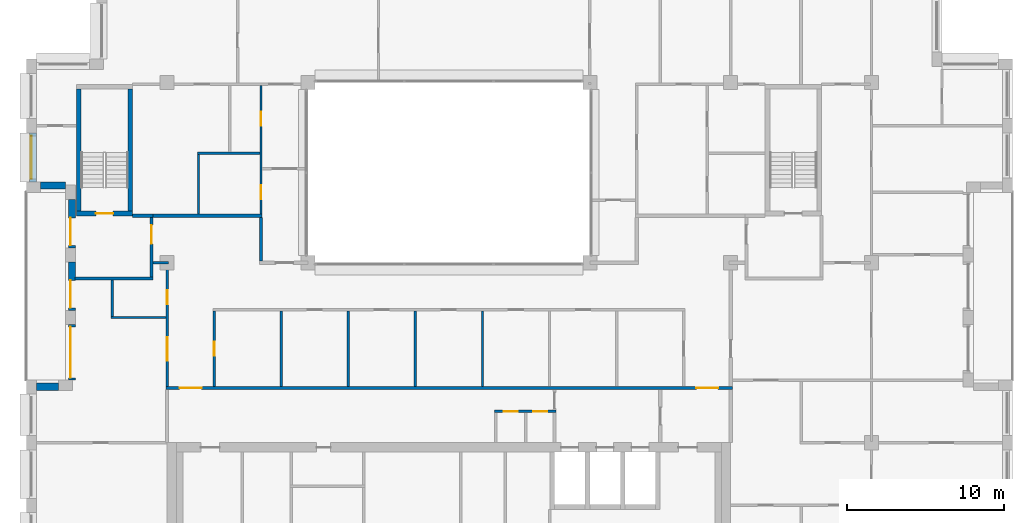
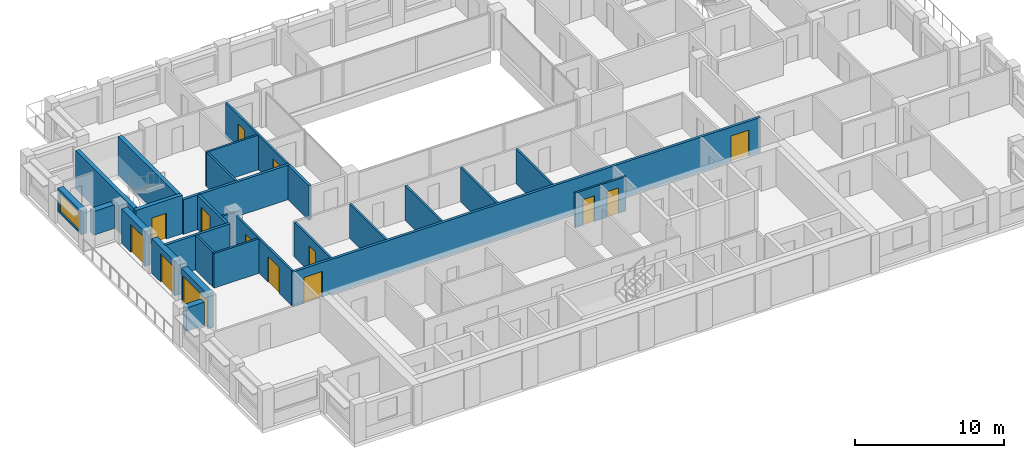
# One storey, part 9 of 15: 28 walls, 14 doors, 1 window, 15 openings.
"""IFC4 building model written with IfcOpenShell, lengths in metres."""

from ifc_helpers import new_model, si_unit, direction, frame, frame_2d, origin, place, context, subcontext, project, spatial, rectangle, extrude, material, layer, layer_set, type_object, element, fill, save


model = new_model("IFC4")

# Units and contexts
model_context = context("Model", 3, precision=1e-05, world=origin(), true_north=direction((0.0, 1.0)))
body_context = subcontext(model_context, "Body", "Model", "MODEL_VIEW")
ifc_project = project(units=[si_unit("LENGTHUNIT", "METRE"), si_unit("AREAUNIT", "SQUARE_METRE"), si_unit("VOLUMEUNIT", "CUBIC_METRE"), si_unit("PLANEANGLEUNIT", "RADIAN"), si_unit("MASSUNIT", "GRAM", prefix="KILO")], contexts=[model_context])

# Site, building, storey
site_placement = place(None, origin())
site = spatial("IfcSite", under=ifc_project, at=site_placement, CompositionType="ELEMENT")
building_placement = place(site_placement, origin())
building = spatial("IfcBuilding", under=site, at=building_placement, Name="Brigalow Station Residences", CompositionType="ELEMENT")
storey_placement = place(building_placement, frame((0.0, 0.0, 216.89990234375)))
storey = spatial("IfcBuildingStorey", under=building, at=storey_placement, Name="L62", CompositionType="ELEMENT", Elevation=216.89990234375)

# Wall, opening, window
ifc_material_1 = material(Name="Clay brick masonry", Category="masonry")
ifc_layer_1 = layer(ifc_material_1, 0.449951171875)
ifc_layer_set_1 = layer_set([ifc_layer_1], Name="BRICK INFILL WALL 450")
wall_type_1 = type_object("IfcWallType", Name="BRICK INFILL WALL 450", PredefinedType="SOLIDWALL", material=ifc_layer_set_1)
wall_1_placement = place(storey_placement, frame((9.425048828125, 32.300048828125, 0.900146484375), z_axis=(0.0, 0.0, 1.0), x_axis=(0.0, -1.0, 0.0)))
wall_1 = element("IfcWall", 1, at=wall_1_placement, inside=storey, type_object=wall_type_1, Name="L62/ewall/W-L62-35", PredefinedType="SOLIDWALL", context=body_context, shape_type="SweptSolid", body=[
    extrude(rectangle(XDim=3.150146484375, YDim=0.449951171875, at=frame_2d((1.5751953125, 0.0))), origin(), (0.0, 0.0, 1.0), 1.929931640625),
])
opening_1_placement = place(wall_1_placement, frame((0.199951171875, 0.0, 0.14990234375)))
opening_1 = element("IfcOpeningElement", 2, at=opening_1_placement, cuts=wall_1, Name="Opening WT-3", PredefinedType="OPENING", context=body_context, shape_type="SweptSolid", body=[
    extrude(rectangle(XDim=2.75, YDim=1.5, at=frame_2d((1.375, 0.75))), frame((0.0, 0.23486328125, 0.0), z_axis=(0.0, -1.0, 0.0), x_axis=(1.0, 0.0, 0.0)), (0.0, 0.0, 1.0), 0.469970703125),
])
ifc_material_2 = material(Name="Anodised aluminium frame with double glazing", Category="aluminium")
window_type = type_object("IfcWindowType", Name="WINDOW 2750x1500", PartitioningType="SINGLE_PANEL", PredefinedType="WINDOW", material=ifc_material_2)
window_placement = place(opening_1_placement, origin())
window = element("IfcWindow", 3, at=window_placement, inside=storey, type_object=window_type, Name="L62/window/W-L62-35", OverallHeight=1.5, OverallWidth=2.75, PartitioningType="SINGLE_PANEL", PredefinedType="WINDOW", context=body_context, shape_type="SweptSolid", body=[
    extrude(rectangle(XDim=2.75, YDim=1.5, at=frame_2d((1.375, 0.75))), frame((0.0, -0.06494140625, 0.0), z_axis=(0.0, -1.0, 0.0), x_axis=(1.0, 0.0, 0.0)), (0.0, 0.0, 1.0), 0.06005859375),
])
fill(opening_1, window)

# Wall
wall_2_placement = place(storey_placement, frame((9.89990234375, 28.925048828125, 0.900146484375), z_axis=(0.0, 0.0, 1.0), x_axis=(1.0, 0.0, 0.0)))
element("IfcWall", 4, at=wall_2_placement, inside=storey, type_object=wall_type_1, Name="L62/ewall/W-L62-36", PredefinedType="SOLIDWALL", context=body_context, shape_type="SweptSolid", body=[
    extrude(rectangle(XDim=1.60009765625, YDim=0.449951171875, at=frame_2d((0.800048828125, 0.0))), origin(), (0.0, 0.0, 1.0), 1.929931640625),
])

# Wall, opening, door
wall_3_placement = place(storey_placement, frame((11.925048828125, 28.050048828125, 0.0), z_axis=(0.0, 0.0, 1.0), x_axis=(0.0, -1.0, 0.0)))
wall_3 = element("IfcWall", 5, at=wall_3_placement, inside=storey, type_object=wall_type_1, Name="L62/ewall/W-L62-37", PredefinedType="SOLIDWALL", context=body_context, shape_type="SweptSolid", body=[
    extrude(rectangle(XDim=3.10009765625, YDim=0.449951171875, at=frame_2d((1.550048828125, 0.0))), origin(), (0.0, 0.0, 1.0), 2.830078125),
])
opening_2_placement = place(wall_3_placement, frame((1.18505859375, 0.0, 0.0)))
opening_2 = element("IfcOpeningElement", 6, at=opening_2_placement, cuts=wall_3, Name="Opening D-B1750", PredefinedType="OPENING", context=body_context, shape_type="SweptSolid", body=[
    extrude(rectangle(XDim=1.75, YDim=2.300048828125, at=frame_2d((0.875, 1.14990234375))), frame((0.0, 0.23486328125, 0.0), z_axis=(0.0, -1.0, 0.0), x_axis=(1.0, 0.0, 0.0)), (0.0, 0.0, 1.0), 0.469970703125),
])
ifc_material_3 = material(Name="Anodised aluminium frame with double glazing", Category="aluminium")
door_type_1 = type_object("IfcDoorType", Name="BALCONY SLIDING DOOR 1750x2300", OperationType="SLIDING_TO_LEFT", PredefinedType="DOOR", material=ifc_material_3)
door_1_placement = place(opening_2_placement, frame((1.75, -0.18994140625, 0.0), z_axis=(0.0, 0.0, 1.0), x_axis=(-1.0, 0.0, 0.0)))
door_1 = element("IfcDoor", 7, at=door_1_placement, inside=storey, type_object=door_type_1, Name="L62/balcony-door/W-L62-37", OperationType="SLIDING_TO_LEFT", OverallHeight=2.300048828125, OverallWidth=1.75, PredefinedType="DOOR", context=body_context, shape_type="SweptSolid", body=[
    extrude(rectangle(XDim=1.75, YDim=2.300048828125, at=frame_2d((0.875, 1.14990234375))), frame((0.0, -0.06982421875, 0.0), z_axis=(0.0, -1.0, 0.0), x_axis=(1.0, 0.0, 0.0)), (0.0, 0.0, 1.0), 0.050048828125),
])
fill(opening_2, door_1)

wall_4_placement = place(storey_placement, frame((11.925048828125, 24.050048828125, 0.0), z_axis=(0.0, 0.0, 1.0), x_axis=(0.0, -1.0, 0.0)))
wall_4 = element("IfcWall", 8, at=wall_4_placement, inside=storey, type_object=wall_type_1, Name="L62/ewall/W-L62-38", PredefinedType="SOLIDWALL", context=body_context, shape_type="SweptSolid", body=[
    extrude(rectangle(XDim=3.10009765625, YDim=0.449951171875, at=frame_2d((1.550048828125, 0.0))), origin(), (0.0, 0.0, 1.0), 2.830078125),
])
opening_3_placement = place(wall_4_placement, frame((1.18505859375, 0.0, 0.0)))
opening_3 = element("IfcOpeningElement", 9, at=opening_3_placement, cuts=wall_4, Name="Opening D-B1750", PredefinedType="OPENING", context=body_context, shape_type="SweptSolid", body=[
    extrude(rectangle(XDim=1.75, YDim=2.300048828125, at=frame_2d((0.875, 1.14990234375))), frame((0.0, 0.23486328125, 0.0), z_axis=(0.0, -1.0, 0.0), x_axis=(1.0, 0.0, 0.0)), (0.0, 0.0, 1.0), 0.469970703125),
])
door_2_placement = place(opening_3_placement, origin())
door_2 = element("IfcDoor", 10, at=door_2_placement, inside=storey, type_object=door_type_1, Name="L62/balcony-door/W-L62-38", OperationType="SLIDING_TO_LEFT", OverallHeight=2.300048828125, OverallWidth=1.75, PredefinedType="DOOR", context=body_context, shape_type="SweptSolid", body=[
    extrude(rectangle(XDim=1.75, YDim=2.300048828125, at=frame_2d((0.875, 1.14990234375))), frame((0.0, -0.06982421875, 0.0), z_axis=(0.0, -1.0, 0.0), x_axis=(1.0, 0.0, 0.0)), (0.0, 0.0, 1.0), 0.050048828125),
])
fill(opening_3, door_2)

wall_5_placement = place(storey_placement, frame((11.925048828125, 20.050048828125, 0.0), z_axis=(0.0, 0.0, 1.0), x_axis=(0.0, -1.0, 0.0)))
wall_5 = element("IfcWall", 11, at=wall_5_placement, inside=storey, type_object=wall_type_1, Name="L62/ewall/W-L62-39", PredefinedType="SOLIDWALL", context=body_context, shape_type="SweptSolid", body=[
    extrude(rectangle(XDim=3.550048828125, YDim=0.449951171875, at=frame_2d((1.77490234375, 0.0))), origin(), (0.0, 0.0, 1.0), 2.830078125),
])
opening_4_placement = place(wall_5_placement, frame((0.14990234375, 0.0, 0.0)))
opening_4 = element("IfcOpeningElement", 12, at=opening_4_placement, cuts=wall_5, Name="Opening D-B3250", PredefinedType="OPENING", context=body_context, shape_type="SweptSolid", body=[
    extrude(rectangle(XDim=3.25, YDim=2.300048828125, at=frame_2d((1.625, 1.14990234375))), frame((0.0, 0.23486328125, 0.0), z_axis=(0.0, -1.0, 0.0), x_axis=(1.0, 0.0, 0.0)), (0.0, 0.0, 1.0), 0.469970703125),
])
ifc_material_4 = material(Name="Anodised aluminium frame with double glazing", Category="aluminium")
door_type_2 = type_object("IfcDoorType", Name="BALCONY SLIDING DOOR 3250x2300", OperationType="SLIDING_TO_LEFT", PredefinedType="DOOR", material=ifc_material_4)
door_3_placement = place(opening_4_placement, origin())
door_3 = element("IfcDoor", 13, at=door_3_placement, inside=storey, type_object=door_type_2, Name="L62/balcony-door/W-L62-39", OperationType="SLIDING_TO_LEFT", OverallHeight=2.300048828125, OverallWidth=3.25, PredefinedType="DOOR", context=body_context, shape_type="SweptSolid", body=[
    extrude(rectangle(XDim=3.25, YDim=2.300048828125, at=frame_2d((1.625, 1.14990234375))), frame((0.0, -0.06982421875, 0.0), z_axis=(0.0, -1.0, 0.0), x_axis=(1.0, 0.0, 0.0)), (0.0, 0.0, 1.0), 0.050048828125),
])
fill(opening_4, door_3)

# Wall
wall_6_placement = place(storey_placement, frame((11.050048828125, 16.074951171875, 0.900146484375), z_axis=(0.0, 0.0, 1.0), x_axis=(-1.0, 0.0, 0.0)))
element("IfcWall", 14, at=wall_6_placement, inside=storey, type_object=wall_type_1, Name="L62/ewall/W-L62-40", PredefinedType="SOLIDWALL", context=body_context, shape_type="SweptSolid", body=[
    extrude(rectangle(XDim=1.400146484375, YDim=0.449951171875, at=frame_2d((0.7001953125, 0.0))), origin(), (0.0, 0.0, 1.0), 1.929931640625),
])

# Wall, opening, door
ifc_material_5 = material(Name="Concrete C50", Category="concrete")
ifc_layer_2 = layer(ifc_material_5, 0.300048828125)
ifc_layer_set_2 = layer_set([ifc_layer_2], Name="CORE SHEAR WALL 300 C50")
wall_type_2 = type_object("IfcWallType", Name="CORE SHEAR WALL 300 C50", PredefinedType="SHEAR", material=ifc_layer_set_2)
wall_7_placement = place(storey_placement, frame((12.199951171875, 27.14990234375, 0.0), z_axis=(0.0, 0.0, 1.0), x_axis=(1.0, 0.0, 0.0)))
wall_7 = element("IfcWall", 15, at=wall_7_placement, inside=storey, type_object=wall_type_2, Name="CORE WALL ST-S1-S L62", PredefinedType="SHEAR", context=body_context, shape_type="SweptSolid", body=[
    extrude(rectangle(XDim=3.60009765625, YDim=0.300048828125, at=frame_2d((1.800048828125, 0.0))), origin(), (0.0, 0.0, 1.0), 3.150146484375),
])
opening_5_placement = place(wall_7_placement, frame((1.25, 0.0, 0.0)))
opening_5 = element("IfcOpeningElement", 16, at=opening_5_placement, cuts=wall_7, Name="Opening D-5015", PredefinedType="OPENING", context=body_context, shape_type="SweptSolid", body=[
    extrude(rectangle(XDim=1.10009765625, YDim=2.10009765625, at=frame_2d((0.550048828125, 1.050048828125))), frame((0.0, 0.16015625, 0.0), z_axis=(0.0, -1.0, 0.0), x_axis=(1.0, 0.0, 0.0)), (0.0, 0.0, 1.0), 0.320068359375),
])
ifc_material_6 = material(Name="Steel fire door leaf in steel frame", Category="steel")
door_type_3 = type_object("IfcDoorType", Name="STAIR DOOR 1100 x 2100 FD60S", OperationType="SINGLE_SWING_LEFT", PredefinedType="DOOR", material=ifc_material_6)
door_4_placement = place(opening_5_placement, origin())
door_4 = element("IfcDoor", 17, at=door_4_placement, inside=storey, type_object=door_type_3, Name="D-5015", OperationType="SINGLE_SWING_LEFT", OverallHeight=2.10009765625, OverallWidth=1.10009765625, PredefinedType="DOOR", context=body_context, shape_type="SweptSolid", body=[
    extrude(rectangle(XDim=1.10009765625, YDim=2.10009765625, at=frame_2d((0.550048828125, 1.050048828125))), frame((0.0, 0.02490234375, 0.0), z_axis=(0.0, -1.0, 0.0), x_axis=(1.0, 0.0, 0.0)), (0.0, 0.0, 1.0), 0.050048828125),
])
fill(opening_5, door_4)

# Walls
for number, where, z_axis, x_axis, name in (
    (18, (12.35009765625, 27.300048828125, 0.0), (0.0, 0.0, 1.0), (0.0, 1.0, 0.0), "CORE WALL ST-S1-W L62"),
    (19, (15.64990234375, 27.300048828125, 0.0), (0.0, 0.0, 1.0), (0.0, 1.0, 0.0), "CORE WALL ST-S1-E L62"),
):
    element("IfcWall", number, at=place(storey_placement, frame(where, z_axis=z_axis, x_axis=x_axis)), inside=storey, type_object=wall_type_2, Name=name, PredefinedType="SHEAR", context=body_context, shape_type="SweptSolid", body=[
        extrude(rectangle(XDim=7.800048828125, YDim=0.300048828125, at=frame_2d((3.89990234375, 0.0))), origin(), (0.0, 0.0, 1.0), 3.150146484375),
    ])
ifc_material_7 = material(Name="Concrete blockwork", Category="masonry")
ifc_layer_3 = layer(ifc_material_7, 0.199951171875)
ifc_layer_set_3 = layer_set([ifc_layer_3], Name="FIRE RATED CORE PARTITION 200")
wall_type_3 = type_object("IfcWallType", Name="FIRE RATED CORE PARTITION 200", PredefinedType="PARTITIONING", material=ifc_layer_set_3)
wall_8_placement = place(storey_placement, frame((12.10009765625, 23.0, 0.0), z_axis=(0.0, 0.0, 1.0), x_axis=(1.0, 0.0, 0.0)))
element("IfcWall", 20, at=wall_8_placement, inside=storey, type_object=wall_type_3, Name="PW-5023", PredefinedType="PARTITIONING", context=body_context, shape_type="SweptSolid", body=[
    extrude(rectangle(XDim=5.0, YDim=0.199951171875, at=frame_2d((2.5, 0.0))), origin(), (0.0, 0.0, 1.0), 2.830078125),
])
wall_9_placement = place(storey_placement, frame((15.800048828125, 27.0, 0.0), z_axis=(0.0, 0.0, 1.0), x_axis=(1.0, 0.0, 0.0)))
element("IfcWall", 21, at=wall_9_placement, inside=storey, type_object=wall_type_3, Name="PW-5025", PredefinedType="PARTITIONING", context=body_context, shape_type="SweptSolid", body=[
    extrude(rectangle(XDim=1.300048828125, YDim=0.199951171875, at=frame_2d((0.64990234375, 0.0))), origin(), (0.0, 0.0, 1.0), 2.830078125),
])

# Wall, opening, door
wall_10_placement = place(storey_placement, frame((17.0, 23.10009765625, 0.0), z_axis=(0.0, 0.0, 1.0), x_axis=(0.0, 1.0, 0.0)))
wall_10 = element("IfcWall", 22, at=wall_10_placement, inside=storey, type_object=wall_type_3, Name="PW-5035", PredefinedType="PARTITIONING", context=body_context, shape_type="SweptSolid", body=[
    extrude(rectangle(XDim=3.7998046875, YDim=0.199951171875, at=frame_2d((1.89990234375, 0.0))), origin(), (0.0, 0.0, 1.0), 2.830078125),
])
opening_6_placement = place(wall_10_placement, frame((2.10009765625, 0.0, 0.0)))
opening_6 = element("IfcOpeningElement", 23, at=opening_6_placement, cuts=wall_10, Name="Opening D-5016", PredefinedType="OPENING", context=body_context, shape_type="SweptSolid", body=[
    extrude(rectangle(XDim=1.199951171875, YDim=2.10009765625, at=frame_2d((0.60009765625, 1.050048828125))), frame((0.0, 0.10986328125, 0.0), z_axis=(0.0, -1.0, 0.0), x_axis=(1.0, 0.0, 0.0)), (0.0, 0.0, 1.0), 0.219970703125),
])
ifc_material_8 = material(Name="Steel fire door leaf in steel frame", Category="steel")
door_type_4 = type_object("IfcDoorType", Name="STAIR LOBBY DOOR 1200 x 2100 FD60S", OperationType="SINGLE_SWING_LEFT", PredefinedType="DOOR", material=ifc_material_8)
door_5_placement = place(opening_6_placement, origin())
door_5 = element("IfcDoor", 24, at=door_5_placement, inside=storey, type_object=door_type_4, Name="D-5016", OperationType="SINGLE_SWING_RIGHT", OverallHeight=2.10009765625, OverallWidth=1.199951171875, PredefinedType="DOOR", context=body_context, shape_type="SweptSolid", body=[
    extrude(rectangle(XDim=1.199951171875, YDim=2.10009765625, at=frame_2d((0.60009765625, 1.050048828125))), frame((0.0, 0.02490234375, 0.0), z_axis=(0.0, -1.0, 0.0), x_axis=(1.0, 0.0, 0.0)), (0.0, 0.0, 1.0), 0.050048828125),
])
fill(opening_6, door_5)

# Walls
ifc_material_9 = material(Name="Plasterboard on steel stud partition", Category="steel")
ifc_layer_4 = layer(ifc_material_9, 0.14990234375)
ifc_layer_set_4 = layer_set([ifc_layer_4], Name="FLAT PARTITION 150")
wall_type_4 = type_object("IfcWallType", Name="FLAT PARTITION 150", PredefinedType="PARTITIONING", material=ifc_layer_set_4)
wall_11_placement = place(storey_placement, frame((17.10009765625, 24.0, 0.0), z_axis=(0.0, 0.0, 1.0), x_axis=(1.0, 0.0, 0.0)))
element("IfcWall", 25, at=wall_11_placement, inside=storey, type_object=wall_type_4, Name="PW-4C01", PredefinedType="PARTITIONING", context=body_context, shape_type="SweptSolid", body=[
    extrude(rectangle(XDim=0.974853515625, YDim=0.14990234375, at=frame_2d((0.4873046875, 0.0))), origin(), (0.0, 0.0, 1.0), 2.830078125),
])
wall_12_placement = place(storey_placement, frame((14.425048828125, 20.5, 0.0), z_axis=(0.0, 0.0, 1.0), x_axis=(1.0, 0.0, 0.0)))
element("IfcWall", 26, at=wall_12_placement, inside=storey, type_object=wall_type_4, Name="PW-4C11", PredefinedType="PARTITIONING", context=body_context, shape_type="SweptSolid", body=[
    extrude(rectangle(XDim=3.5, YDim=0.14990234375, at=frame_2d((1.75, 0.0))), origin(), (0.0, 0.0, 1.0), 2.830078125),
])
wall_13_placement = place(storey_placement, frame((19.925048828125, 31.0, 0.0), z_axis=(0.0, 0.0, 1.0), x_axis=(1.0, 0.0, 0.0)))
element("IfcWall", 27, at=wall_13_placement, inside=storey, type_object=wall_type_4, Name="PW-4C17", PredefinedType="PARTITIONING", context=body_context, shape_type="SweptSolid", body=[
    extrude(rectangle(XDim=4.0, YDim=0.14990234375, at=frame_2d((2.0, 0.0))), origin(), (0.0, 0.0, 1.0), 2.830078125),
])

# Wall, openings, doors
wall_14_placement = place(storey_placement, frame((18.0, 16.10009765625, 0.0), z_axis=(0.0, 0.0, 1.0), x_axis=(0.0, 1.0, 0.0)))
wall_14 = element("IfcWall", 28, at=wall_14_placement, inside=storey, type_object=wall_type_4, Name="PW-4C27", PredefinedType="PARTITIONING", context=body_context, shape_type="SweptSolid", body=[
    extrude(rectangle(XDim=7.824951171875, YDim=0.14990234375, at=frame_2d((3.91259765625, 0.0))), origin(), (0.0, 0.0, 1.0), 2.830078125),
])
opening_7_placement = place(wall_14_placement, frame((1.64990234375, 0.0, 0.0)))
opening_7 = element("IfcOpeningElement", 29, at=opening_7_placement, cuts=wall_14, Name="Opening D-4C03", PredefinedType="OPENING", context=body_context, shape_type="SweptSolid", body=[
    extrude(rectangle(XDim=1.5, YDim=2.10009765625, at=frame_2d((0.75, 1.050048828125))), frame((0.0, 0.0849609375, 0.0), z_axis=(0.0, -1.0, 0.0), x_axis=(1.0, 0.0, 0.0)), (0.0, 0.0, 1.0), 0.169921875),
])
opening_8_placement = place(wall_14_placement, frame((5.25, 0.0, 0.0)))
opening_8 = element("IfcOpeningElement", 30, at=opening_8_placement, cuts=wall_14, Name="Opening D-4C04", PredefinedType="OPENING", context=body_context, shape_type="SweptSolid", body=[
    extrude(rectangle(XDim=0.89990234375, YDim=2.10009765625, at=frame_2d((0.449951171875, 1.050048828125))), frame((0.0, 0.0849609375, 0.0), z_axis=(0.0, -1.0, 0.0), x_axis=(1.0, 0.0, 0.0)), (0.0, 0.0, 1.0), 0.169921875),
])
ifc_material_10 = material(Name="Solid-core timber door leaf", Category="wood")
door_type_5 = type_object("IfcDoorType", Name="INTERNAL DOOR 1500 x 2100", OperationType="SINGLE_SWING_LEFT", PredefinedType="DOOR", material=ifc_material_10)
door_6_placement = place(opening_7_placement, frame((1.5, 0.0, 0.0), z_axis=(0.0, 0.0, 1.0), x_axis=(-1.0, 0.0, 0.0)))
door_6 = element("IfcDoor", 31, at=door_6_placement, inside=storey, type_object=door_type_5, Name="D-4C03", OperationType="SINGLE_SWING_RIGHT", OverallHeight=2.10009765625, OverallWidth=1.5, PredefinedType="DOOR", context=body_context, shape_type="SweptSolid", body=[
    extrude(rectangle(XDim=1.5, YDim=2.10009765625, at=frame_2d((0.75, 1.050048828125))), frame((0.0, 0.02490234375, 0.0), z_axis=(0.0, -1.0, 0.0), x_axis=(1.0, 0.0, 0.0)), (0.0, 0.0, 1.0), 0.050048828125),
])
fill(opening_7, door_6)
ifc_material_11 = material(Name="Solid-core timber door leaf", Category="wood")
door_type_6 = type_object("IfcDoorType", Name="INTERNAL DOOR 900 x 2100", OperationType="SINGLE_SWING_LEFT", PredefinedType="DOOR", material=ifc_material_11)
door_7_placement = place(opening_8_placement, origin())
door_7 = element("IfcDoor", 32, at=door_7_placement, inside=storey, type_object=door_type_6, Name="D-4C04", OperationType="SINGLE_SWING_LEFT", OverallHeight=2.10009765625, OverallWidth=0.89990234375, PredefinedType="DOOR", context=body_context, shape_type="SweptSolid", body=[
    extrude(rectangle(XDim=0.89990234375, YDim=2.10009765625, at=frame_2d((0.449951171875, 1.050048828125))), frame((0.0, 0.02490234375, 0.0), z_axis=(0.0, -1.0, 0.0), x_axis=(1.0, 0.0, 0.0)), (0.0, 0.0, 1.0), 0.050048828125),
])
fill(opening_8, door_7)

# Wall, opening, door
wall_15_placement = place(storey_placement, frame((21.0, 16.10009765625, 0.0), z_axis=(0.0, 0.0, 1.0), x_axis=(0.0, 1.0, 0.0)))
wall_15 = element("IfcWall", 33, at=wall_15_placement, inside=storey, type_object=wall_type_4, Name="PW-4C30", PredefinedType="PARTITIONING", context=body_context, shape_type="SweptSolid", body=[
    extrude(rectangle(XDim=4.824951171875, YDim=0.14990234375, at=frame_2d((2.41259765625, 0.0))), origin(), (0.0, 0.0, 1.0), 2.830078125),
])
opening_9_placement = place(wall_15_placement, frame((1.949951171875, 0.0, 0.0)))
opening_9 = element("IfcOpeningElement", 34, at=opening_9_placement, cuts=wall_15, Name="Opening D-4C37", PredefinedType="OPENING", context=body_context, shape_type="SweptSolid", body=[
    extrude(rectangle(XDim=0.89990234375, YDim=2.10009765625, at=frame_2d((0.449951171875, 1.050048828125))), frame((0.0, 0.0849609375, 0.0), z_axis=(0.0, -1.0, 0.0), x_axis=(1.0, 0.0, 0.0)), (0.0, 0.0, 1.0), 0.169921875),
])
door_8_placement = place(opening_9_placement, frame((0.89990234375, 0.0, 0.0), z_axis=(0.0, 0.0, 1.0), x_axis=(-1.0, 0.0, 0.0)))
door_8 = element("IfcDoor", 35, at=door_8_placement, inside=storey, type_object=door_type_6, Name="D-4C37", OperationType="SINGLE_SWING_RIGHT", OverallHeight=2.10009765625, OverallWidth=0.89990234375, PredefinedType="DOOR", context=body_context, shape_type="SweptSolid", body=[
    extrude(rectangle(XDim=0.89990234375, YDim=2.10009765625, at=frame_2d((0.449951171875, 1.050048828125))), frame((0.0, 0.02490234375, 0.0), z_axis=(0.0, -1.0, 0.0), x_axis=(1.0, 0.0, 0.0)), (0.0, 0.0, 1.0), 0.050048828125),
])
fill(opening_9, door_8)

# Wall, openings, doors
wall_16_placement = place(storey_placement, frame((24.0, 27.10009765625, 0.0), z_axis=(0.0, 0.0, 1.0), x_axis=(0.0, 1.0, 0.0)))
wall_16 = element("IfcWall", 36, at=wall_16_placement, inside=storey, type_object=wall_type_4, Name="PW-4C32", PredefinedType="PARTITIONING", context=body_context, shape_type="SweptSolid", body=[
    extrude(rectangle(XDim=8.224853515625, YDim=0.14990234375, at=frame_2d((4.1123046875, 0.0))), origin(), (0.0, 0.0, 1.0), 2.830078125),
])
opening_10_placement = place(wall_16_placement, frame((0.949951171875, 0.0, 0.0)))
opening_10 = element("IfcOpeningElement", 37, at=opening_10_placement, cuts=wall_16, Name="Opening D-4C09", PredefinedType="OPENING", context=body_context, shape_type="SweptSolid", body=[
    extrude(rectangle(XDim=0.89990234375, YDim=2.10009765625, at=frame_2d((0.449951171875, 1.050048828125))), frame((0.0, 0.0849609375, 0.0), z_axis=(0.0, -1.0, 0.0), x_axis=(1.0, 0.0, 0.0)), (0.0, 0.0, 1.0), 0.169921875),
])
opening_11_placement = place(wall_16_placement, frame((5.64990234375, 0.0, 0.0)))
opening_11 = element("IfcOpeningElement", 38, at=opening_11_placement, cuts=wall_16, Name="Opening D-4C10", PredefinedType="OPENING", context=body_context, shape_type="SweptSolid", body=[
    extrude(rectangle(XDim=0.89990234375, YDim=2.10009765625, at=frame_2d((0.449951171875, 1.050048828125))), frame((0.0, 0.0849609375, 0.0), z_axis=(0.0, -1.0, 0.0), x_axis=(1.0, 0.0, 0.0)), (0.0, 0.0, 1.0), 0.169921875),
])
door_9_placement = place(opening_10_placement, origin())
door_9 = element("IfcDoor", 39, at=door_9_placement, inside=storey, type_object=door_type_6, Name="D-4C09", OperationType="SINGLE_SWING_LEFT", OverallHeight=2.10009765625, OverallWidth=0.89990234375, PredefinedType="DOOR", context=body_context, shape_type="SweptSolid", body=[
    extrude(rectangle(XDim=0.89990234375, YDim=2.10009765625, at=frame_2d((0.449951171875, 1.050048828125))), frame((0.0, 0.02490234375, 0.0), z_axis=(0.0, -1.0, 0.0), x_axis=(1.0, 0.0, 0.0)), (0.0, 0.0, 1.0), 0.050048828125),
])
fill(opening_10, door_9)
door_10_placement = place(opening_11_placement, origin())
door_10 = element("IfcDoor", 40, at=door_10_placement, inside=storey, type_object=door_type_6, Name="D-4C10", OperationType="SINGLE_SWING_LEFT", OverallHeight=2.10009765625, OverallWidth=0.89990234375, PredefinedType="DOOR", context=body_context, shape_type="SweptSolid", body=[
    extrude(rectangle(XDim=0.89990234375, YDim=2.10009765625, at=frame_2d((0.449951171875, 1.050048828125))), frame((0.0, 0.02490234375, 0.0), z_axis=(0.0, -1.0, 0.0), x_axis=(1.0, 0.0, 0.0)), (0.0, 0.0, 1.0), 0.050048828125),
])
fill(opening_11, door_10)

# Walls
wall_17_placement = place(storey_placement, frame((14.5, 20.574951171875, 0.0), z_axis=(0.0, 0.0, 1.0), x_axis=(0.0, 1.0, 0.0)))
element("IfcWall", 41, at=wall_17_placement, inside=storey, type_object=wall_type_4, Name="PW-4C36", PredefinedType="PARTITIONING", context=body_context, shape_type="SweptSolid", body=[
    extrude(rectangle(XDim=2.324951171875, YDim=0.14990234375, at=frame_2d((1.16259765625, 0.0))), origin(), (0.0, 0.0, 1.0), 2.830078125),
])
wall_18_placement = place(storey_placement, frame((20.0, 27.10009765625, 0.0), z_axis=(0.0, 0.0, 1.0), x_axis=(0.0, 1.0, 0.0)))
element("IfcWall", 42, at=wall_18_placement, inside=storey, type_object=wall_type_4, Name="PW-4C37", PredefinedType="PARTITIONING", context=body_context, shape_type="SweptSolid", body=[
    extrude(rectangle(XDim=3.824951171875, YDim=0.14990234375, at=frame_2d((1.91259765625, 0.0))), origin(), (0.0, 0.0, 1.0), 2.830078125),
])
for number, where, z_axis, x_axis, name in (
    (43, (25.285888671875, 16.10009765625, 0.0), (0.0, 0.0, 1.0), (0.0, 1.0, 0.0), "PW-4C52"),
    (44, (29.571044921875, 16.10009765625, 0.0), (0.0, 0.0, 1.0), (0.0, 1.0, 0.0), "PW-4C53"),
    (45, (33.85693359375, 16.10009765625, 0.0), (0.0, 0.0, 1.0), (0.0, 1.0, 0.0), "PW-4C54"),
    (46, (38.14306640625, 16.10009765625, 0.0), (0.0, 0.0, 1.0), (0.0, 1.0, 0.0), "PW-4C55"),
):
    element("IfcWall", number, at=place(storey_placement, frame(where, z_axis=z_axis, x_axis=x_axis)), inside=storey, type_object=wall_type_4, Name=name, PredefinedType="PARTITIONING", context=body_context, shape_type="SweptSolid", body=[
        extrude(rectangle(XDim=4.824951171875, YDim=0.14990234375, at=frame_2d((2.41259765625, 0.0))), origin(), (0.0, 0.0, 1.0), 2.830078125),
    ])
ifc_material_12 = material(Name="Plasterboard on steel stud partition", Category="steel")
ifc_layer_5 = layer(ifc_material_12, 0.199951171875)
ifc_layer_set_5 = layer_set([ifc_layer_5], Name="PARTY AND CORRIDOR WALL 200")
wall_type_5 = type_object("IfcWallType", Name="PARTY AND CORRIDOR WALL 200", PredefinedType="PARTITIONING", material=ifc_layer_set_5)
wall_19_placement = place(storey_placement, frame((17.10009765625, 27.0, 0.0), z_axis=(0.0, 0.0, 1.0), x_axis=(1.0, 0.0, 0.0)))
element("IfcWall", 47, at=wall_19_placement, inside=storey, type_object=wall_type_5, Name="PW-4C07", PredefinedType="PARTITIONING", context=body_context, shape_type="SweptSolid", body=[
    extrude(rectangle(XDim=6.974853515625, YDim=0.199951171875, at=frame_2d((3.4873046875, 0.0))), origin(), (0.0, 0.0, 1.0), 2.830078125),
])

# Wall, openings, doors
wall_20_placement = place(storey_placement, frame((17.925048828125, 16.0, 0.0), z_axis=(0.0, 0.0, 1.0), x_axis=(1.0, 0.0, 0.0)))
wall_20 = element("IfcWall", 48, at=wall_20_placement, inside=storey, type_object=wall_type_5, Name="PW-4C26", PredefinedType="PARTITIONING", context=body_context, shape_type="SweptSolid", body=[
    extrude(rectangle(XDim=36.175048828125, YDim=0.199951171875, at=frame_2d((18.08740234375, 0.0))), origin(), (0.0, 0.0, 1.0), 2.830078125),
])
opening_12_placement = place(wall_20_placement, frame((0.875, 0.0, 0.0)))
opening_12 = element("IfcOpeningElement", 49, at=opening_12_placement, cuts=wall_20, Name="Opening D-4C01", PredefinedType="OPENING", context=body_context, shape_type="SweptSolid", body=[
    extrude(rectangle(XDim=1.39990234375, YDim=2.10009765625, at=frame_2d((0.699951171875, 1.050048828125))), frame((0.0, 0.10986328125, 0.0), z_axis=(0.0, -1.0, 0.0), x_axis=(1.0, 0.0, 0.0)), (0.0, 0.0, 1.0), 0.219970703125),
])
opening_13_placement = place(wall_20_placement, frame((33.875, 0.0, 0.0)))
opening_13 = element("IfcOpeningElement", 50, at=opening_13_placement, cuts=wall_20, Name="Opening D-4C02", PredefinedType="OPENING", context=body_context, shape_type="SweptSolid", body=[
    extrude(rectangle(XDim=1.39990234375, YDim=2.10009765625, at=frame_2d((0.699951171875, 1.050048828125))), frame((0.0, 0.10986328125, 0.0), z_axis=(0.0, -1.0, 0.0), x_axis=(1.0, 0.0, 0.0)), (0.0, 0.0, 1.0), 0.219970703125),
])
ifc_material_13 = material(Name="Solid-core timber door leaf", Category="wood")
door_type_7 = type_object("IfcDoorType", Name="CORRIDOR FIRE DOOR 1400 x 2100 FRL -/60/30", OperationType="DOUBLE_DOOR_SINGLE_SWING", PredefinedType="DOOR", material=ifc_material_13)
door_11_placement = place(opening_12_placement, frame((1.39990234375, 0.0, 0.0), z_axis=(0.0, 0.0, 1.0), x_axis=(-1.0, 0.0, 0.0)))
door_11 = element("IfcDoor", 51, at=door_11_placement, inside=storey, type_object=door_type_7, Name="D-4C01", OperationType="DOUBLE_DOOR_SINGLE_SWING", OverallHeight=2.10009765625, OverallWidth=1.39990234375, PredefinedType="DOOR", context=body_context, shape_type="SweptSolid", body=[
    extrude(rectangle(XDim=1.39990234375, YDim=2.10009765625, at=frame_2d((0.699951171875, 1.050048828125))), frame((0.0, 0.02490234375, 0.0), z_axis=(0.0, -1.0, 0.0), x_axis=(1.0, 0.0, 0.0)), (0.0, 0.0, 1.0), 0.050048828125),
])
fill(opening_12, door_11)
door_12_placement = place(opening_13_placement, frame((1.39990234375, 0.0, 0.0), z_axis=(0.0, 0.0, 1.0), x_axis=(-1.0, 0.0, 0.0)))
door_12 = element("IfcDoor", 52, at=door_12_placement, inside=storey, type_object=door_type_7, Name="D-4C02", OperationType="DOUBLE_DOOR_SINGLE_SWING", OverallHeight=2.10009765625, OverallWidth=1.39990234375, PredefinedType="DOOR", context=body_context, shape_type="SweptSolid", body=[
    extrude(rectangle(XDim=1.39990234375, YDim=2.10009765625, at=frame_2d((0.699951171875, 1.050048828125))), frame((0.0, 0.02490234375, 0.0), z_axis=(0.0, -1.0, 0.0), x_axis=(1.0, 0.0, 0.0)), (0.0, 0.0, 1.0), 0.050048828125),
])
fill(opening_13, door_12)

# Wall
wall_21_placement = place(storey_placement, frame((24.0, 24.10009765625, 0.0), z_axis=(0.0, 0.0, 1.0), x_axis=(0.0, 1.0, 0.0)))
element("IfcWall", 53, at=wall_21_placement, inside=storey, type_object=wall_type_5, Name="PW-4C33", PredefinedType="PARTITIONING", context=body_context, shape_type="SweptSolid", body=[
    extrude(rectangle(XDim=2.7998046875, YDim=0.199951171875, at=frame_2d((1.39990234375, 0.0))), origin(), (0.0, 0.0, 1.0), 2.830078125),
])

# Wall, openings, doors
ifc_material_14 = material(Name="Plasterboard on steel studs", Category="steel")
ifc_layer_6 = layer(ifc_material_14, 0.14990234375)
ifc_layer_set_6 = layer_set([ifc_layer_6], Name="SERVICE ROOM PARTITION 150")
wall_type_6 = type_object("IfcWallType", Name="SERVICE ROOM PARTITION 150", PredefinedType="PARTITIONING", material=ifc_layer_set_6)
wall_22_placement = place(storey_placement, frame((38.925048828125, 14.5, 0.0), z_axis=(0.0, 0.0, 1.0), x_axis=(1.0, 0.0, 0.0)))
wall_22 = element("IfcWall", 54, at=wall_22_placement, inside=storey, type_object=wall_type_6, Name="PW-5129", PredefinedType="PARTITIONING", context=body_context, shape_type="SweptSolid", body=[
    extrude(rectangle(XDim=3.925048828125, YDim=0.14990234375, at=frame_2d((1.96240234375, 0.0))), origin(), (0.0, 0.0, 1.0), 2.830078125),
])
opening_14_placement = place(wall_22_placement, frame((0.574951171875, 0.0, 0.0)))
opening_14 = element("IfcOpeningElement", 55, at=opening_14_placement, cuts=wall_22, Name="Opening D-5077", PredefinedType="OPENING", context=body_context, shape_type="SweptSolid", body=[
    extrude(rectangle(XDim=0.89990234375, YDim=2.10009765625, at=frame_2d((0.449951171875, 1.050048828125))), frame((0.0, 0.0849609375, 0.0), z_axis=(0.0, -1.0, 0.0), x_axis=(1.0, 0.0, 0.0)), (0.0, 0.0, 1.0), 0.169921875),
])
opening_15_placement = place(wall_22_placement, frame((2.449951171875, 0.0, 0.0)))
opening_15 = element("IfcOpeningElement", 56, at=opening_15_placement, cuts=wall_22, Name="Opening D-5078", PredefinedType="OPENING", context=body_context, shape_type="SweptSolid", body=[
    extrude(rectangle(XDim=0.89990234375, YDim=2.10009765625, at=frame_2d((0.449951171875, 1.050048828125))), frame((0.0, 0.0849609375, 0.0), z_axis=(0.0, -1.0, 0.0), x_axis=(1.0, 0.0, 0.0)), (0.0, 0.0, 1.0), 0.169921875),
])
ifc_material_15 = material(Name="Steel door leaf in steel frame", Category="steel")
door_type_8 = type_object("IfcDoorType", Name="SERVICE ROOM DOOR 900 x 2100 FD60", OperationType="SINGLE_SWING_LEFT", PredefinedType="DOOR", material=ifc_material_15)
door_13_placement = place(opening_14_placement, frame((0.89990234375, 0.0, 0.0), z_axis=(0.0, 0.0, 1.0), x_axis=(-1.0, 0.0, 0.0)))
door_13 = element("IfcDoor", 57, at=door_13_placement, inside=storey, type_object=door_type_8, Name="D-5077", OperationType="SINGLE_SWING_RIGHT", OverallHeight=2.10009765625, OverallWidth=0.89990234375, PredefinedType="DOOR", context=body_context, shape_type="SweptSolid", body=[
    extrude(rectangle(XDim=0.89990234375, YDim=2.10009765625, at=frame_2d((0.449951171875, 1.050048828125))), frame((0.0, 0.02490234375, 0.0), z_axis=(0.0, -1.0, 0.0), x_axis=(1.0, 0.0, 0.0)), (0.0, 0.0, 1.0), 0.050048828125),
])
fill(opening_14, door_13)
door_14_placement = place(opening_15_placement, frame((0.89990234375, 0.0, 0.0), z_axis=(0.0, 0.0, 1.0), x_axis=(-1.0, 0.0, 0.0)))
door_14 = element("IfcDoor", 58, at=door_14_placement, inside=storey, type_object=door_type_8, Name="D-5078", OperationType="SINGLE_SWING_LEFT", OverallHeight=2.10009765625, OverallWidth=0.89990234375, PredefinedType="DOOR", context=body_context, shape_type="SweptSolid", body=[
    extrude(rectangle(XDim=0.89990234375, YDim=2.10009765625, at=frame_2d((0.449951171875, 1.050048828125))), frame((0.0, 0.02490234375, 0.0), z_axis=(0.0, -1.0, 0.0), x_axis=(1.0, 0.0, 0.0)), (0.0, 0.0, 1.0), 0.050048828125),
])
fill(opening_15, door_14)

save(model, "model.ifc")
